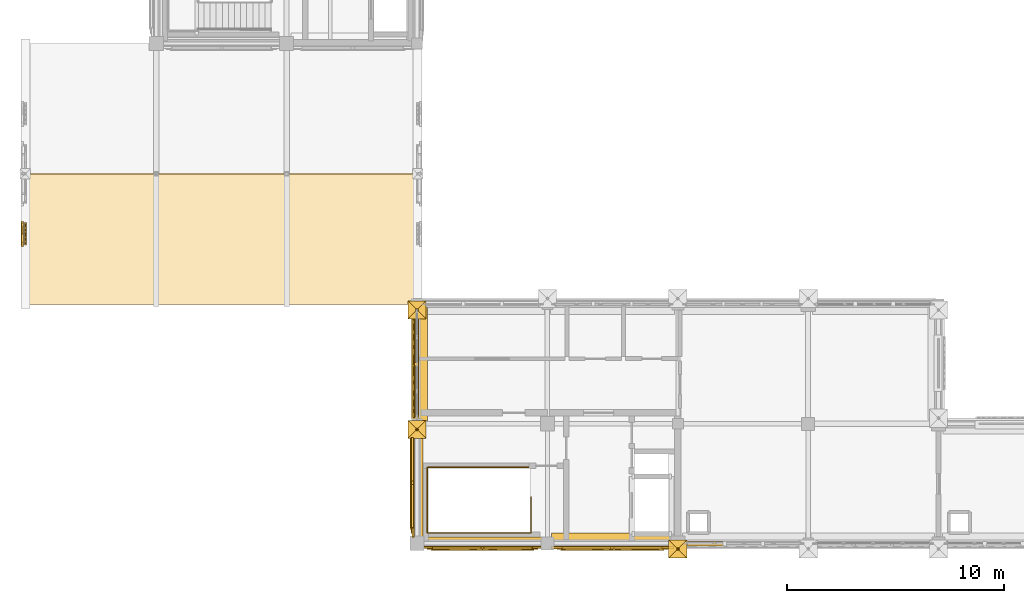
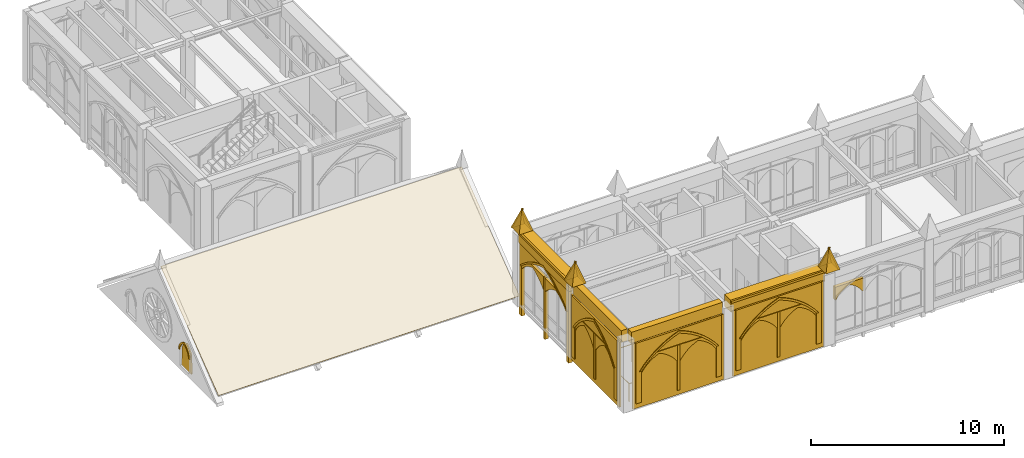
# One storey, part 112 of 143: 45 coverings, 1 railing.
"""IFC4 building model written with IfcOpenShell, lengths in metres."""

from ifc_helpers import new_model, si_unit, direction, frame, origin, origin_2d, place, context, subcontext, project, spatial, polyline, rectangle, circle, outline, extrude, material, type_object, element, save


model = new_model("IFC4")

# Units and contexts
model_context = context("Model", 3, precision=1e-05, world=origin(), true_north=direction((0.0, 1.0)))
body_context = subcontext(model_context, "Body", "Model", "MODEL_VIEW")
ifc_project = project(units=[si_unit("LENGTHUNIT", "METRE"), si_unit("AREAUNIT", "SQUARE_METRE"), si_unit("VOLUMEUNIT", "CUBIC_METRE"), si_unit("PLANEANGLEUNIT", "RADIAN"), si_unit("MASSUNIT", "GRAM", prefix="KILO")], contexts=[model_context])

# Site, building, storey
site_placement = place(None, origin())
site = spatial("IfcSite", under=ifc_project, at=site_placement, CompositionType="ELEMENT")
building_placement = place(site_placement, origin())
building = spatial("IfcBuilding", under=site, at=building_placement, Name="Cumevento Cable Car Station", CompositionType="ELEMENT")
storey_placement = place(building_placement, frame((0.0, 0.0, 9.0)))
storey = spatial("IfcBuildingStorey", under=building, at=storey_placement, Name="L03", CompositionType="ELEMENT", Elevation=9.0)

# Railing
ifc_material_1 = material(Name="Painted Galvanised Architectural Steel", Category="steel")
railing_type = type_object("IfcRailingType", Name="Stair Guardrail GR-S115", PredefinedType="GUARDRAIL", material=ifc_material_1)
railing_placement = place(storey_placement, frame((27.25, 6.1298828125, 0.0)))
element("IfcRailing", 1, at=railing_placement, inside=storey, type_object=railing_type, Name="Stairwell Opening Rim Guard ST-02-L02 L03", PredefinedType="GUARDRAIL", context=body_context, shape_type="SweptSolid", body=[
    extrude(circle(Radius=0.02392578125, at=origin_2d()), frame((0.0, 0.0, 1.1259765625), z_axis=(0.0, -1.0, 0.0), x_axis=(1.0, 0.0, 0.0)), (0.0, 0.0, 1.0), 1.659912109375),
    extrude(circle(Radius=0.02392578125, at=origin_2d()), frame((0.0, -1.659912109375, 1.1259765625), z_axis=(-1.0, 0.0, 0.0), x_axis=(0.0, -1.0, 0.0)), (0.0, 0.0, 1.0), 4.780029296875),
    extrude(circle(Radius=0.02392578125, at=origin_2d()), frame((-4.780029296875, -1.659912109375, 1.1259765625), z_axis=(0.0, 1.0, 0.0), x_axis=(-1.0, 0.0, 0.0)), (0.0, 0.0, 1.0), 3.030029296875),
    extrude(circle(Radius=0.02392578125, at=origin_2d()), frame((-4.780029296875, 1.3701171875, 1.1259765625), z_axis=(1.0, 0.0, 0.0), x_axis=(0.0, 1.0, 0.0)), (0.0, 0.0, 1.0), 4.780029296875),
    extrude(circle(Radius=0.02001953125, at=origin_2d()), origin(), (0.0, 0.0, 1.0), 1.101806640625),
    extrude(circle(Radius=0.02001953125, at=origin_2d()), frame((0.0, -0.830078125, 0.0)), (0.0, 0.0, 1.0), 1.101806640625),
    extrude(circle(Radius=0.02001953125, at=origin_2d()), frame((0.0, -1.659912109375, 0.0)), (0.0, 0.0, 1.0), 1.101806640625),
    extrude(circle(Radius=0.02001953125, at=origin_2d()), frame((-0.9560546875, -1.659912109375, 0.0)), (0.0, 0.0, 1.0), 1.101806640625),
    extrude(circle(Radius=0.02001953125, at=origin_2d()), frame((-1.912109375, -1.659912109375, 0.0)), (0.0, 0.0, 1.0), 1.101806640625),
    extrude(circle(Radius=0.02001953125, at=origin_2d()), frame((-2.867919921875, -1.659912109375, 0.0)), (0.0, 0.0, 1.0), 1.101806640625),
    extrude(circle(Radius=0.02001953125, at=origin_2d()), frame((-3.823974609375, -1.659912109375, 0.0)), (0.0, 0.0, 1.0), 1.101806640625),
    extrude(circle(Radius=0.02001953125, at=origin_2d()), frame((-4.780029296875, -1.659912109375, 0.0)), (0.0, 0.0, 1.0), 1.101806640625),
    extrude(circle(Radius=0.02001953125, at=origin_2d()), frame((-4.780029296875, -0.64990234375, 0.0)), (0.0, 0.0, 1.0), 1.101806640625),
    extrude(circle(Radius=0.02001953125, at=origin_2d()), frame((-4.780029296875, 0.360107421875, 0.0)), (0.0, 0.0, 1.0), 1.101806640625),
    extrude(circle(Radius=0.02001953125, at=origin_2d()), frame((-4.780029296875, 1.3701171875, 0.0)), (0.0, 0.0, 1.0), 1.101806640625),
    extrude(circle(Radius=0.02001953125, at=origin_2d()), frame((-3.823974609375, 1.3701171875, 0.0)), (0.0, 0.0, 1.0), 1.101806640625),
    extrude(circle(Radius=0.02001953125, at=origin_2d()), frame((-2.867919921875, 1.3701171875, 0.0)), (0.0, 0.0, 1.0), 1.101806640625),
    extrude(circle(Radius=0.02001953125, at=origin_2d()), frame((-1.912109375, 1.3701171875, 0.0)), (0.0, 0.0, 1.0), 1.101806640625),
    extrude(circle(Radius=0.02001953125, at=origin_2d()), frame((-0.9560546875, 1.3701171875, 0.0)), (0.0, 0.0, 1.0), 1.101806640625),
    extrude(circle(Radius=0.02001953125, at=origin_2d()), frame((0.0, 1.3701171875, 0.0)), (0.0, 0.0, 1.0), 1.101806640625),
])

# Coverings
ifc_material_2 = material(Name="Standing-Seam Zinc-Titanium Roof Sheet", Category="steel")
covering_type_1 = type_object("IfcCoveringType", Name="Standing-Seam Zinc Roofing CV-RF01", PredefinedType="ROOFING", material=ifc_material_2)
covering_1_placement = place(storey_placement, frame((4.0, 15.0, 0.4560546875), z_axis=(0.0, -0.604226537421, 0.796812582404), x_axis=(1.0, 0.0, 0.0)))
element("IfcCovering", 2, at=covering_1_placement, inside=storey, type_object=covering_type_1, Name="Standing-Seam Zinc Roof Covering #33", PredefinedType="ROOFING", context=body_context, shape_type="SweptSolid", body=[
    extrude(outline(polyline([(0.0, 0.0), (18.0, 0.0), (18.0, 7.517439315913787), (0.0, 7.517439315913787), (0.0, 0.0)])), origin(), (0.0, 0.0, -1.0), 0.02587890625),
])
ifc_material_3 = material(Name="Gnaisse Facoidal Stone Ashlar 85 MPa", Category="masonry")
covering_type_2 = type_object("IfcCoveringType", Name="Gnaisse Ashlar Cladding CV-CL01", PredefinedType="CLADDING", material=ifc_material_3)
for number, where, z_axis, x_axis, name in (
    (3, (21.580078125, 9.659912109375, 4.8701171875), (0.0, 0.951573760476, 0.30742052367), (1.0, 0.0, 0.0), "Gothic Buttress Pinnacle Spire Facet 1 bt:22.0:9.5"),
    (4, (22.419921875, 9.659912109375, 4.8701171875), (0.951573760476, 0.0, 0.30742052367), (0.0, -1.0, 0.0), "Gothic Buttress Pinnacle Spire Facet 2 bt:22.0:9.5"),
    (5, (22.419921875, 8.820068359375, 4.8701171875), (0.0, -0.951573760476, 0.30742052367), (-1.0, 0.0, 0.0), "Gothic Buttress Pinnacle Spire Facet 3 bt:22.0:9.5"),
    (6, (21.580078125, 8.820068359375, 4.8701171875), (-0.951573760476, 0.0, 0.30742052367), (0.0, 1.0, 0.0), "Gothic Buttress Pinnacle Spire Facet 4 bt:22.0:9.5"),
    (7, (21.580078125, 15.159912109375, 4.8701171875), (0.0, 0.951573760476, 0.30742052367), (1.0, 0.0, 0.0), "Gothic Buttress Pinnacle Spire Facet 1 bt:22.0:15.0"),
    (8, (22.419921875, 15.159912109375, 4.8701171875), (0.951573760476, 0.0, 0.30742052367), (0.0, -1.0, 0.0), "Gothic Buttress Pinnacle Spire Facet 2 bt:22.0:15.0"),
    (9, (22.419921875, 14.320068359375, 4.8701171875), (0.0, -0.951573760476, 0.30742052367), (-1.0, 0.0, 0.0), "Gothic Buttress Pinnacle Spire Facet 3 bt:22.0:15.0"),
    (10, (21.580078125, 14.320068359375, 4.8701171875), (-0.951573760476, 0.0, 0.30742052367), (0.0, 1.0, 0.0), "Gothic Buttress Pinnacle Spire Facet 4 bt:22.0:15.0"),
    (11, (33.580078125, 4.159912109375, 4.8701171875), (0.0, 0.951573760476, 0.30742052367), (1.0, 0.0, 0.0), "Gothic Buttress Pinnacle Spire Facet 1 bt:34.0:4.0"),
    (12, (34.419921875, 4.159912109375, 4.8701171875), (0.951573760476, 0.0, 0.30742052367), (0.0, -1.0, 0.0), "Gothic Buttress Pinnacle Spire Facet 2 bt:34.0:4.0"),
    (13, (34.419921875, 3.320068359375, 4.8701171875), (0.0, -0.951573760476, 0.30742052367), (-1.0, 0.0, 0.0), "Gothic Buttress Pinnacle Spire Facet 3 bt:34.0:4.0"),
    (14, (33.580078125, 3.320068359375, 4.8701171875), (-0.951573760476, 0.0, 0.30742052367), (0.0, 1.0, 0.0), "Gothic Buttress Pinnacle Spire Facet 4 bt:34.0:4.0"),
):
    element("IfcCovering", number, at=place(storey_placement, frame(where, z_axis=z_axis, x_axis=x_axis)), inside=storey, type_object=covering_type_2, Name=name, PredefinedType="CLADDING", context=body_context, shape_type="SweptSolid", body=[
        extrude(outline(polyline([(0.0, 0.0), (0.83984375, 0.0), (0.419921875, -1.3659526370817139), (0.0, 0.0)])), origin(), (0.0, 0.0, -1.0), 0.0849609375),
    ])
covering_2_placement = place(storey_placement, frame((25.012451171875, 4.090087890625, 4.032958984375), z_axis=(0.0, 0.0, 1.0), x_axis=(-1.0, 0.0, 0.0)))
element("IfcCovering", 15, at=covering_2_placement, inside=storey, type_object=covering_type_2, Name="Gothic Stone Spandrel Stringcourse sc:0580", PredefinedType="CLADDING", context=body_context, shape_type="SweptSolid", body=[
    extrude(rectangle(XDim=5.43505859375, YDim=0.3798828125, at=origin_2d()), origin(), (0.0, 0.0, 1.0), 0.7470703125),
])
covering_3_placement = place(storey_placement, frame((30.987548828125, 4.14990234375, 4.032958984375), z_axis=(0.0, 0.0, 1.0), x_axis=(-1.0, 0.0, 0.0)))
element("IfcCovering", 16, at=covering_3_placement, inside=storey, type_object=covering_type_2, Name="Gothic Stone Spandrel Stringcourse sc:0581", PredefinedType="CLADDING", context=body_context, shape_type="SweptSolid", body=[
    extrude(rectangle(XDim=5.614990234375, YDim=0.659912109375, at=origin_2d()), origin(), (0.0, 0.0, 1.0), 0.7470703125),
])
covering_4_placement = place(storey_placement, frame((30.987548828125, 3.79248046875, 4.650146484375), z_axis=(0.0, 0.0, 1.0), x_axis=(-1.0, 0.0, 0.0)))
element("IfcCovering", 17, at=covering_4_placement, inside=storey, type_object=covering_type_2, Name="Gothic Cornice Dripstone Lip sc:0581", PredefinedType="CLADDING", context=body_context, shape_type="SweptSolid", body=[
    extrude(rectangle(XDim=5.655029296875, YDim=0.114990234375, at=origin_2d()), origin(), (0.0, 0.0, 1.0), 0.1298828125),
])
covering_5_placement = place(storey_placement, frame((22.090087890625, 6.78759765625, 4.032958984375), z_axis=(0.0, 0.0, 1.0), x_axis=(0.0, 1.0, 0.0)))
element("IfcCovering", 18, at=covering_5_placement, inside=storey, type_object=covering_type_2, Name="Gothic Stone Spandrel Stringcourse sc:0588", PredefinedType="CLADDING", context=body_context, shape_type="SweptSolid", body=[
    extrude(rectangle(XDim=4.985107421875, YDim=0.3798828125, at=origin_2d()), origin(), (0.0, 0.0, 1.0), 0.7470703125),
])
covering_6_placement = place(storey_placement, frame((22.14990234375, 12.237548828125, 4.032958984375), z_axis=(0.0, 0.0, 1.0), x_axis=(0.0, 1.0, 0.0)))
element("IfcCovering", 19, at=covering_6_placement, inside=storey, type_object=covering_type_2, Name="Gothic Stone Spandrel Stringcourse sc:0589", PredefinedType="CLADDING", context=body_context, shape_type="SweptSolid", body=[
    extrude(rectangle(XDim=5.215087890625, YDim=0.659912109375, at=origin_2d()), origin(), (0.0, 0.0, 1.0), 0.7470703125),
])
covering_7_placement = place(storey_placement, frame((21.79248046875, 12.237548828125, 4.650146484375), z_axis=(0.0, 0.0, 1.0), x_axis=(0.0, 1.0, 0.0)))
element("IfcCovering", 20, at=covering_7_placement, inside=storey, type_object=covering_type_2, Name="Gothic Cornice Dripstone Lip sc:0589", PredefinedType="CLADDING", context=body_context, shape_type="SweptSolid", body=[
    extrude(rectangle(XDim=5.2548828125, YDim=0.114990234375, at=origin_2d()), origin(), (0.0, 0.0, 1.0), 0.1298828125),
])
covering_8_placement = place(storey_placement, frame((36.11669921875, 4.0, 2.569091796875), z_axis=(0.0, 0.0, 1.0), x_axis=(-1.0, 0.0, 0.0)))
element("IfcCovering", 21, at=covering_8_placement, inside=storey, type_object=covering_type_2, Name="Gothic Ogival Pointed-Arch Stone Spandrel cw_ogival:0068:sub:2", PredefinedType="CLADDING", context=body_context, shape_type="SweptSolid", body=[
    extrude(outline(polyline([(-0.02001953125, 0.0), (-0.02001953125, 0.81640625), (1.681640625, 0.81640625), (1.681640625, 0.0), (1.62158203125, 0.0), (1.52490234375, 0.150390625), (1.412109375, 0.2890625), (1.28466796875, 0.41455078125), (1.14404296875, 0.525146484375), (0.9921875, 0.619384765625), (0.830810546875, 0.6962890625), (0.66943359375, 0.619384765625), (0.517578125, 0.525146484375), (0.376953125, 0.41455078125), (0.24951171875, 0.2890625), (0.13671875, 0.150390625), (0.0400390625, 0.0), (-0.02001953125, 0.0)])), frame((0.0, 0.1240234375, 0.0), z_axis=(0.0, -1.0, 0.0), x_axis=(1.0, 0.0, 0.0)), (0.0, 0.0, 1.0), 0.199951171875),
])
placement_1 = place(storey_placement, frame((22.0, 9.75, -0.52001953125), z_axis=(0.0, 0.0, 1.0), x_axis=(0.0, 1.0, 0.0)))
element("IfcCovering", 22, at=placement_1, inside=storey, type_object=covering_type_2, Name="Gothic Ogival Pointed-Arch Stone Spandrel cw_ogival:0072", PredefinedType="CLADDING", context=body_context, shape_type="SweptSolid", body=[
    extrude(outline(polyline([(-0.080078125, 0.0), (-0.080078125, 4.693115234375), (5.054931640625, 4.693115234375), (5.054931640625, 0.0), (4.81494140625, 0.0), (4.81494140625, 3.197021484375), (4.560791015625, 3.416748046875), (4.294189453125, 3.62109375), (4.01611328125, 3.8095703125), (3.727294921875, 3.981689453125), (3.42919921875, 4.13671875), (3.12255859375, 4.2734375), (2.808349609375, 4.392578125), (2.487548828125, 4.492919921875), (2.166748046875, 4.392578125), (1.8525390625, 4.2734375), (1.5458984375, 4.13671875), (1.247802734375, 3.981689453125), (0.958984375, 3.8095703125), (0.680908203125, 3.62109375), (0.414306640625, 3.416748046875), (0.159912109375, 3.197021484375), (0.159912109375, 0.0), (-0.080078125, 0.0)])), frame((0.0, 0.139892578125, 0.0), z_axis=(0.0, -1.0, 0.0), x_axis=(1.0, 0.0, 0.0)), (0.0, 0.0, 1.0), 0.219970703125),
])
covering_10_placement = place(storey_placement, frame((22.0, 9.75, 2.677001953125), z_axis=(0.0, 0.0, 1.0), x_axis=(0.0, 1.0, 0.0)))
element("IfcCovering", 23, at=covering_10_placement, inside=storey, type_object=covering_type_2, Name="Gothic Pointed Archivolt Hood Moulding cw_ogival:0072", PredefinedType="CLADDING", context=body_context, shape_type="SweptSolid", body=[
    extrude(outline(polyline([(0.159912109375, 0.0), (0.414306640625, 0.2197265625), (0.680908203125, 0.424072265625), (0.958984375, 0.612548828125), (1.247802734375, 0.78466796875), (1.5458984375, 0.939453125), (1.8525390625, 1.076416015625), (2.166748046875, 1.195556640625), (2.487548828125, 1.2958984375), (2.808349609375, 1.195556640625), (3.12255859375, 1.076416015625), (3.42919921875, 0.939453125), (3.727294921875, 0.78466796875), (4.01611328125, 0.612548828125), (4.294189453125, 0.424072265625), (4.560791015625, 0.2197265625), (4.81494140625, 0.0), (4.925048828125, 0.0), (4.662841796875, 0.2421875), (4.38623046875, 0.4677734375), (4.096435546875, 0.67626953125), (3.79443359375, 0.866455078125), (3.4814453125, 1.037841796875), (3.158447265625, 1.18994140625), (2.82666015625, 1.322021484375), (2.487548828125, 1.433349609375), (2.1484375, 1.322021484375), (1.816650390625, 1.18994140625), (1.49365234375, 1.037841796875), (1.1806640625, 0.866455078125), (0.878662109375, 0.67626953125), (0.5888671875, 0.4677734375), (0.312255859375, 0.2421875), (0.050048828125, 0.0), (0.159912109375, 0.0)])), frame((0.0, 0.181884765625, 0.0), z_axis=(0.0, -1.0, 0.0), x_axis=(1.0, 0.0, 0.0)), (0.0, 0.0, 1.0), 0.06689453125),
])
element("IfcCovering", 24, at=placement_1, inside=storey, type_object=covering_type_2, Name="Gothic Bifora Stone Colonnette cw_ogival:0072 #1", PredefinedType="CLADDING", context=body_context, shape_type="SweptSolid", body=[
    extrude(outline(polyline([(2.41259765625, -0.02001953125), (2.5625, -0.02001953125), (2.5625, 3.87109375), (2.41259765625, 3.87109375), (2.41259765625, -0.02001953125)])), frame((0.0, 0.1279296875, 0.0), z_axis=(0.0, -1.0, 0.0), x_axis=(1.0, 0.0, 0.0)), (0.0, 0.0, 1.0), 0.205078125),
])
for number, where, z_axis, x_axis, name in (
    (25, (22.0, 9.8798828125, 2.4970703125), (0.0, 0.0, 1.0), (0.0, 1.0, 0.0), "Gothic Ogival Pointed-Arch Stone Spandrel cw_ogival:0072:sub:0"),
    (26, (22.0, 12.282470703125, 2.4970703125), (0.0, 0.0, 1.0), (0.0, 1.0, 0.0), "Gothic Ogival Pointed-Arch Stone Spandrel cw_ogival:0072:sub:1"),
):
    element("IfcCovering", number, at=place(storey_placement, frame(where, z_axis=z_axis, x_axis=x_axis)), inside=storey, type_object=covering_type_2, Name=name, PredefinedType="CLADDING", context=body_context, shape_type="SweptSolid", body=[
        extrude(outline(polyline([(-0.02001953125, 0.0), (-0.02001953125, 0.85400390625), (2.33251953125, 0.85400390625), (2.33251953125, 0.0), (2.2724609375, 0.0), (2.1162109375, 0.162353515625), (1.9462890625, 0.31005859375), (1.763671875, 0.442138671875), (1.5703125, 0.557373046875), (1.3671875, 0.65478515625), (1.15625, 0.73388671875), (0.9453125, 0.65478515625), (0.7421875, 0.557373046875), (0.548828125, 0.442138671875), (0.3662109375, 0.31005859375), (0.1962890625, 0.162353515625), (0.0400390625, 0.0), (-0.02001953125, 0.0)])), frame((0.0, 0.1240234375, 0.0), z_axis=(0.0, -1.0, 0.0), x_axis=(1.0, 0.0, 0.0)), (0.0, 0.0, 1.0), 0.199951171875),
    ])
covering_12_placement = place(storey_placement, frame((27.699951171875, 4.0, 0.0), z_axis=(0.0, 0.0, 1.0), x_axis=(-1.0, 0.0, 0.0)))
element("IfcCovering", 27, at=covering_12_placement, inside=storey, type_object=covering_type_2, Name="Exterior Gnaisse Stone Wall Ashlar #223", PredefinedType="CLADDING", context=body_context, shape_type="SweptSolid", body=[
    extrude(outline(polyline([(-0.0400390625, -0.02001953125), (5.4150390625, -0.02001953125), (5.4150390625, 4.113037109375), (-0.0400390625, 4.113037109375), (-0.0400390625, -0.02001953125)])), frame((0.0, 0.222412109375, 0.0), z_axis=(0.0, -1.0, 0.0), x_axis=(1.0, 0.0, 0.0)), (0.0, 0.0, 1.0), 0.0849609375),
])
placement_2 = place(storey_placement, frame((27.52001953125, 4.0, 0.300048828125), z_axis=(0.0, 0.0, 1.0), x_axis=(-1.0, 0.0, 0.0)))
element("IfcCovering", 28, at=placement_2, inside=storey, type_object=covering_type_2, Name="Gothic Ogival Pointed-Arch Stone Spandrel blind_ogival:0223", PredefinedType="CLADDING", context=body_context, shape_type="SweptSolid", body=[
    extrude(outline(polyline([(-0.050048828125, 0.0), (-0.050048828125, 3.8330078125), (5.06494140625, 3.8330078125), (5.06494140625, 0.0), (4.7548828125, 0.0), (4.7548828125, 1.9921875), (4.49658203125, 2.299072265625), (4.2138671875, 2.583984375), (3.90869140625, 2.844482421875), (3.583251953125, 3.079345703125), (3.23974609375, 3.286376953125), (2.88037109375, 3.46484375), (2.507568359375, 3.61279296875), (2.134521484375, 3.46484375), (1.775146484375, 3.286376953125), (1.431640625, 3.079345703125), (1.106201171875, 2.844482421875), (0.801025390625, 2.583984375), (0.518310546875, 2.299072265625), (0.260009765625, 1.9921875), (0.260009765625, 0.0), (-0.050048828125, 0.0)])), frame((0.0, 0.277587890625, 0.0), z_axis=(0.0, -1.0, 0.0), x_axis=(1.0, 0.0, 0.0)), (0.0, 0.0, 1.0), 0.110107421875),
])
covering_14_placement = place(storey_placement, frame((27.52001953125, 4.0, 2.2919921875), z_axis=(0.0, 0.0, 1.0), x_axis=(-1.0, 0.0, 0.0)))
element("IfcCovering", 29, at=covering_14_placement, inside=storey, type_object=covering_type_2, Name="Gothic Pointed Archivolt Hood Moulding blind_ogival:0223", PredefinedType="CLADDING", context=body_context, shape_type="SweptSolid", body=[
    extrude(outline(polyline([(0.260009765625, 0.0), (0.518310546875, 0.306884765625), (0.801025390625, 0.591796875), (1.106201171875, 0.852294921875), (1.431640625, 1.087158203125), (1.775146484375, 1.294189453125), (2.134521484375, 1.47265625), (2.507568359375, 1.620849609375), (2.88037109375, 1.47265625), (3.23974609375, 1.294189453125), (3.583251953125, 1.087158203125), (3.90869140625, 0.852294921875), (4.2138671875, 0.591796875), (4.49658203125, 0.306884765625), (4.7548828125, 0.0), (4.8759765625, 0.0), (4.60791015625, 0.334716796875), (4.312744140625, 0.6455078125), (3.992431640625, 0.93017578125), (3.649169921875, 1.18701171875), (3.28564453125, 1.4140625), (2.904052734375, 1.609619140625), (2.507568359375, 1.772216796875), (2.11083984375, 1.609619140625), (1.729248046875, 1.4140625), (1.36572265625, 1.18701171875), (1.0224609375, 0.93017578125), (0.7021484375, 0.6455078125), (0.406982421875, 0.334716796875), (0.138916015625, 0.0), (0.260009765625, 0.0)])), frame((0.0, 0.319580078125, 0.0), z_axis=(0.0, -1.0, 0.0), x_axis=(1.0, 0.0, 0.0)), (0.0, 0.0, 1.0), 0.06689453125),
])
element("IfcCovering", 30, at=placement_2, inside=storey, type_object=covering_type_2, Name="Gothic Bifora Stone Colonnette blind_ogival:0223 #1", PredefinedType="CLADDING", context=body_context, shape_type="SweptSolid", body=[
    extrude(outline(polyline([(2.4326171875, -0.02001953125), (2.58251953125, -0.02001953125), (2.58251953125, 2.8349609375), (2.4326171875, 2.8349609375), (2.4326171875, -0.02001953125)])), frame((0.0, 0.265380859375, 0.0), z_axis=(0.0, -1.0, 0.0), x_axis=(1.0, 0.0, 0.0)), (0.0, 0.0, 1.0), 0.094970703125),
])
for number, where, z_axis, x_axis, name in (
    (31, (27.2900390625, 4.0, 2.112060546875), (0.0, 0.0, 1.0), (-1.0, 0.0, 0.0), "Gothic Ogival Pointed-Arch Stone Spandrel blind_ogival:0223:sub:0"),
    (32, (24.967529296875, 4.0, 2.112060546875), (0.0, 0.0, 1.0), (-1.0, 0.0, 0.0), "Gothic Ogival Pointed-Arch Stone Spandrel blind_ogival:0223:sub:1"),
):
    element("IfcCovering", number, at=place(storey_placement, frame(where, z_axis=z_axis, x_axis=x_axis)), inside=storey, type_object=covering_type_2, Name=name, PredefinedType="CLADDING", context=body_context, shape_type="SweptSolid", body=[
        extrude(outline(polyline([(-0.02001953125, 0.0), (-0.02001953125, 1.02294921875), (2.25244140625, 1.02294921875), (2.25244140625, 0.0), (2.1923828125, 0.0), (2.056884765625, 0.19580078125), (1.9013671875, 0.3759765625), (1.727294921875, 0.53857421875), (1.537109375, 0.681640625), (1.33251953125, 0.803466796875), (1.1162109375, 0.90283203125), (0.89990234375, 0.803466796875), (0.6953125, 0.681640625), (0.505126953125, 0.53857421875), (0.3310546875, 0.3759765625), (0.175537109375, 0.19580078125), (0.0400390625, 0.0), (-0.02001953125, 0.0)])), frame((0.0, 0.261474609375, 0.0), z_axis=(0.0, -1.0, 0.0), x_axis=(1.0, 0.0, 0.0)), (0.0, 0.0, 1.0), 0.090087890625),
    ])
covering_16_placement = place(storey_placement, frame((33.675048828125, 4.0, 0.0), z_axis=(0.0, 0.0, 1.0), x_axis=(-1.0, 0.0, 0.0)))
element("IfcCovering", 33, at=covering_16_placement, inside=storey, type_object=covering_type_2, Name="Exterior Gnaisse Stone Wall Ashlar #224", PredefinedType="CLADDING", context=body_context, shape_type="SweptSolid", body=[
    extrude(outline(polyline([(-0.0400390625, -0.02001953125), (5.4150390625, -0.02001953125), (5.4150390625, 4.113037109375), (-0.0400390625, 4.113037109375), (-0.0400390625, -0.02001953125)])), frame((0.0, 0.222412109375, 0.0), z_axis=(0.0, -1.0, 0.0), x_axis=(1.0, 0.0, 0.0)), (0.0, 0.0, 1.0), 0.0849609375),
])
placement_3 = place(storey_placement, frame((33.4951171875, 4.0, 0.300048828125), z_axis=(0.0, 0.0, 1.0), x_axis=(-1.0, 0.0, 0.0)))
element("IfcCovering", 34, at=placement_3, inside=storey, type_object=covering_type_2, Name="Gothic Ogival Pointed-Arch Stone Spandrel blind_ogival:0224", PredefinedType="CLADDING", context=body_context, shape_type="SweptSolid", body=[
    extrude(outline(polyline([(-0.050048828125, 0.0), (-0.050048828125, 3.8330078125), (5.06494140625, 3.8330078125), (5.06494140625, 0.0), (4.7548828125, 0.0), (4.7548828125, 1.9921875), (4.49658203125, 2.299072265625), (4.2138671875, 2.583984375), (3.90869140625, 2.844482421875), (3.583251953125, 3.079345703125), (3.23974609375, 3.286376953125), (2.88037109375, 3.46484375), (2.507568359375, 3.61279296875), (2.134521484375, 3.46484375), (1.775146484375, 3.286376953125), (1.431640625, 3.079345703125), (1.106201171875, 2.844482421875), (0.801025390625, 2.583984375), (0.518310546875, 2.299072265625), (0.260009765625, 1.9921875), (0.260009765625, 0.0), (-0.050048828125, 0.0)])), frame((0.0, 0.277587890625, 0.0), z_axis=(0.0, -1.0, 0.0), x_axis=(1.0, 0.0, 0.0)), (0.0, 0.0, 1.0), 0.110107421875),
])
covering_18_placement = place(storey_placement, frame((33.4951171875, 4.0, 2.2919921875), z_axis=(0.0, 0.0, 1.0), x_axis=(-1.0, 0.0, 0.0)))
element("IfcCovering", 35, at=covering_18_placement, inside=storey, type_object=covering_type_2, Name="Gothic Pointed Archivolt Hood Moulding blind_ogival:0224", PredefinedType="CLADDING", context=body_context, shape_type="SweptSolid", body=[
    extrude(outline(polyline([(0.260009765625, 0.0), (0.518310546875, 0.306884765625), (0.801025390625, 0.591796875), (1.106201171875, 0.852294921875), (1.431640625, 1.087158203125), (1.775146484375, 1.294189453125), (2.134521484375, 1.47265625), (2.507568359375, 1.620849609375), (2.88037109375, 1.47265625), (3.23974609375, 1.294189453125), (3.583251953125, 1.087158203125), (3.90869140625, 0.852294921875), (4.2138671875, 0.591796875), (4.49658203125, 0.306884765625), (4.7548828125, 0.0), (4.8759765625, 0.0), (4.60791015625, 0.334716796875), (4.312744140625, 0.6455078125), (3.992431640625, 0.93017578125), (3.649169921875, 1.18701171875), (3.28564453125, 1.4140625), (2.904052734375, 1.609619140625), (2.507568359375, 1.772216796875), (2.11083984375, 1.609619140625), (1.729248046875, 1.4140625), (1.36572265625, 1.18701171875), (1.0224609375, 0.93017578125), (0.7021484375, 0.6455078125), (0.406982421875, 0.334716796875), (0.138916015625, 0.0), (0.260009765625, 0.0)])), frame((0.0, 0.319580078125, 0.0), z_axis=(0.0, -1.0, 0.0), x_axis=(1.0, 0.0, 0.0)), (0.0, 0.0, 1.0), 0.06689453125),
])
element("IfcCovering", 36, at=placement_3, inside=storey, type_object=covering_type_2, Name="Gothic Bifora Stone Colonnette blind_ogival:0224 #1", PredefinedType="CLADDING", context=body_context, shape_type="SweptSolid", body=[
    extrude(outline(polyline([(2.4326171875, -0.02001953125), (2.58251953125, -0.02001953125), (2.58251953125, 2.8349609375), (2.4326171875, 2.8349609375), (2.4326171875, -0.02001953125)])), frame((0.0, 0.265380859375, 0.0), z_axis=(0.0, -1.0, 0.0), x_axis=(1.0, 0.0, 0.0)), (0.0, 0.0, 1.0), 0.094970703125),
])
for number, where, z_axis, x_axis, name in (
    (37, (33.264892578125, 4.0, 2.112060546875), (0.0, 0.0, 1.0), (-1.0, 0.0, 0.0), "Gothic Ogival Pointed-Arch Stone Spandrel blind_ogival:0224:sub:0"),
    (38, (30.9423828125, 4.0, 2.112060546875), (0.0, 0.0, 1.0), (-1.0, 0.0, 0.0), "Gothic Ogival Pointed-Arch Stone Spandrel blind_ogival:0224:sub:1"),
):
    element("IfcCovering", number, at=place(storey_placement, frame(where, z_axis=z_axis, x_axis=x_axis)), inside=storey, type_object=covering_type_2, Name=name, PredefinedType="CLADDING", context=body_context, shape_type="SweptSolid", body=[
        extrude(outline(polyline([(-0.02001953125, 0.0), (-0.02001953125, 1.02294921875), (2.25244140625, 1.02294921875), (2.25244140625, 0.0), (2.1923828125, 0.0), (2.056884765625, 0.19580078125), (1.9013671875, 0.3759765625), (1.727294921875, 0.53857421875), (1.537109375, 0.681640625), (1.33251953125, 0.803466796875), (1.1162109375, 0.90283203125), (0.89990234375, 0.803466796875), (0.6953125, 0.681640625), (0.505126953125, 0.53857421875), (0.3310546875, 0.3759765625), (0.175537109375, 0.19580078125), (0.0400390625, 0.0), (-0.02001953125, 0.0)])), frame((0.0, 0.261474609375, 0.0), z_axis=(0.0, -1.0, 0.0), x_axis=(1.0, 0.0, 0.0)), (0.0, 0.0, 1.0), 0.090087890625),
    ])
covering_20_placement = place(storey_placement, frame((22.0, 4.324951171875, 0.0), z_axis=(0.0, 0.0, 1.0), x_axis=(0.0, 1.0, 0.0)))
element("IfcCovering", 39, at=covering_20_placement, inside=storey, type_object=covering_type_2, Name="Exterior Gnaisse Stone Wall Ashlar #225", PredefinedType="CLADDING", context=body_context, shape_type="SweptSolid", body=[
    extrude(outline(polyline([(-0.0400390625, -0.02001953125), (4.965087890625, -0.02001953125), (4.965087890625, 4.113037109375), (-0.0400390625, 4.113037109375), (-0.0400390625, -0.02001953125)])), frame((0.0, 0.222412109375, 0.0), z_axis=(0.0, -1.0, 0.0), x_axis=(1.0, 0.0, 0.0)), (0.0, 0.0, 1.0), 0.0849609375),
])
placement_4 = place(storey_placement, frame((22.0, 4.5048828125, 0.300048828125), z_axis=(0.0, 0.0, 1.0), x_axis=(0.0, 1.0, 0.0)))
element("IfcCovering", 40, at=placement_4, inside=storey, type_object=covering_type_2, Name="Gothic Ogival Pointed-Arch Stone Spandrel blind_ogival:0225", PredefinedType="CLADDING", context=body_context, shape_type="SweptSolid", body=[
    extrude(outline(polyline([(-0.050048828125, 0.0), (-0.050048828125, 3.8330078125), (4.614990234375, 3.8330078125), (4.614990234375, 0.0), (4.304931640625, 0.0), (4.304931640625, 1.9921875), (4.083740234375, 2.29638671875), (3.83642578125, 2.57958984375), (3.564697265625, 2.840087890625), (3.271240234375, 3.075439453125), (2.9580078125, 3.28369140625), (2.62744140625, 3.46337890625), (2.282470703125, 3.61279296875), (1.9375, 3.46337890625), (1.60693359375, 3.28369140625), (1.293701171875, 3.075439453125), (1.000244140625, 2.840087890625), (0.728515625, 2.57958984375), (0.481201171875, 2.29638671875), (0.260009765625, 1.9921875), (0.260009765625, 0.0), (-0.050048828125, 0.0)])), frame((0.0, 0.277587890625, 0.0), z_axis=(0.0, -1.0, 0.0), x_axis=(1.0, 0.0, 0.0)), (0.0, 0.0, 1.0), 0.110107421875),
])
covering_22_placement = place(storey_placement, frame((22.0, 4.5048828125, 2.2919921875), z_axis=(0.0, 0.0, 1.0), x_axis=(0.0, 1.0, 0.0)))
element("IfcCovering", 41, at=covering_22_placement, inside=storey, type_object=covering_type_2, Name="Gothic Pointed Archivolt Hood Moulding blind_ogival:0225", PredefinedType="CLADDING", context=body_context, shape_type="SweptSolid", body=[
    extrude(outline(polyline([(0.260009765625, 0.0), (0.481201171875, 0.30419921875), (0.728515625, 0.587646484375), (1.000244140625, 0.847900390625), (1.293701171875, 1.083251953125), (1.60693359375, 1.29150390625), (1.9375, 1.47119140625), (2.282470703125, 1.620849609375), (2.62744140625, 1.47119140625), (2.9580078125, 1.29150390625), (3.271240234375, 1.083251953125), (3.564697265625, 0.847900390625), (3.83642578125, 0.587646484375), (4.083740234375, 0.30419921875), (4.304931640625, 0.0), (4.426025390625, 0.0), (4.1953125, 0.33154296875), (3.935546875, 0.64111328125), (3.64892578125, 0.925537109375), (3.337646484375, 1.182861328125), (3.004150390625, 1.4111328125), (2.651611328125, 1.60791015625), (2.282470703125, 1.772216796875), (1.913330078125, 1.60791015625), (1.560791015625, 1.4111328125), (1.227294921875, 1.182861328125), (0.916015625, 0.925537109375), (0.62939453125, 0.64111328125), (0.36962890625, 0.33154296875), (0.138916015625, 0.0), (0.260009765625, 0.0)])), frame((0.0, 0.319580078125, 0.0), z_axis=(0.0, -1.0, 0.0), x_axis=(1.0, 0.0, 0.0)), (0.0, 0.0, 1.0), 0.06689453125),
])
element("IfcCovering", 42, at=placement_4, inside=storey, type_object=covering_type_2, Name="Gothic Bifora Stone Colonnette blind_ogival:0225 #1", PredefinedType="CLADDING", context=body_context, shape_type="SweptSolid", body=[
    extrude(outline(polyline([(2.20751953125, -0.02001953125), (2.357421875, -0.02001953125), (2.357421875, 2.8349609375), (2.20751953125, 2.8349609375), (2.20751953125, -0.02001953125)])), frame((0.0, 0.265380859375, 0.0), z_axis=(0.0, -1.0, 0.0), x_axis=(1.0, 0.0, 0.0)), (0.0, 0.0, 1.0), 0.094970703125),
])
for number, where, z_axis, x_axis, name in (
    (43, (22.0, 4.735107421875, 2.112060546875), (0.0, 0.0, 1.0), (0.0, 1.0, 0.0), "Gothic Ogival Pointed-Arch Stone Spandrel blind_ogival:0225:sub:0"),
    (44, (22.0, 6.83251953125, 2.112060546875), (0.0, 0.0, 1.0), (0.0, 1.0, 0.0), "Gothic Ogival Pointed-Arch Stone Spandrel blind_ogival:0225:sub:1"),
):
    element("IfcCovering", number, at=place(storey_placement, frame(where, z_axis=z_axis, x_axis=x_axis)), inside=storey, type_object=covering_type_2, Name=name, PredefinedType="CLADDING", context=body_context, shape_type="SweptSolid", body=[
        extrude(outline(polyline([(-0.02001953125, 0.0), (-0.02001953125, 1.02294921875), (2.027587890625, 1.02294921875), (2.027587890625, 0.0), (1.967529296875, 0.0), (1.854248046875, 0.193603515625), (1.71923828125, 0.373046875), (1.564697265625, 0.53564453125), (1.392333984375, 0.679443359375), (1.20458984375, 0.802490234375), (1.003662109375, 0.90283203125), (0.802978515625, 0.802490234375), (0.615234375, 0.679443359375), (0.44287109375, 0.53564453125), (0.288330078125, 0.373046875), (0.1533203125, 0.193603515625), (0.0400390625, 0.0), (-0.02001953125, 0.0)])), frame((0.0, 0.261474609375, 0.0), z_axis=(0.0, -1.0, 0.0), x_axis=(1.0, 0.0, 0.0)), (0.0, 0.0, 1.0), 0.090087890625),
    ])
placement_5 = place(storey_placement, frame((4.0, 15.0, 0.0), z_axis=(0.0, 0.0, 1.0), x_axis=(0.0, 1.0, 0.0)))
element("IfcCovering", 45, at=placement_5, inside=storey, type_object=covering_type_2, Name="Gothic Gable Recessed Tracery Backing wing_B_V6a_W lancet_0", PredefinedType="CLADDING", context=body_context, shape_type="SweptSolid", body=[
    extrude(outline(polyline([(2.735107421875, 0.14990234375), (3.7451171875, 0.14990234375), (3.688720703125, 1.3349609375), (3.607666015625, 1.47998046875), (3.503662109375, 1.609375), (3.380126953125, 1.72021484375), (3.239990234375, 1.809326171875), (3.099853515625, 1.72021484375), (2.976318359375, 1.609375), (2.872314453125, 1.47998046875), (2.791259765625, 1.3349609375), (2.735107421875, 0.14990234375)])), frame((0.0, 0.050048828125, 0.0), z_axis=(0.0, -1.0, 0.0), x_axis=(1.0, 0.0, 0.0)), (0.0, 0.0, 1.0), 0.074951171875),
])
element("IfcCovering", 46, at=placement_5, inside=storey, type_object=covering_type_2, Name="Gable Lancet Stone Hood Moulding wing_B_V6a_W #1", PredefinedType="CLADDING", context=body_context, shape_type="SweptSolid", body=[
    extrude(outline(polyline([(2.764892578125, 1.177734375), (2.786865234375, 1.342529296875), (2.85107421875, 1.495849609375), (2.953125, 1.627197265625), (3.085693359375, 1.727294921875), (3.239990234375, 1.789306640625), (3.394287109375, 1.727294921875), (3.52685546875, 1.627197265625), (3.62890625, 1.495849609375), (3.693115234375, 1.342529296875), (3.715087890625, 1.177734375), (3.804931640625, 1.177734375), (3.779052734375, 1.37451171875), (3.70263671875, 1.557373046875), (3.58154296875, 1.71435546875), (3.423583984375, 1.83447265625), (3.239990234375, 1.909423828125), (3.056396484375, 1.83447265625), (2.8984375, 1.71435546875), (2.77734375, 1.557373046875), (2.700927734375, 1.37451171875), (2.675048828125, 1.177734375), (2.764892578125, 1.177734375)])), frame((0.0, 0.205078125, 0.0), z_axis=(0.0, -1.0, 0.0), x_axis=(1.0, 0.0, 0.0)), (0.0, 0.0, 1.0), 0.090087890625),
])

save(model, "model.ifc")
